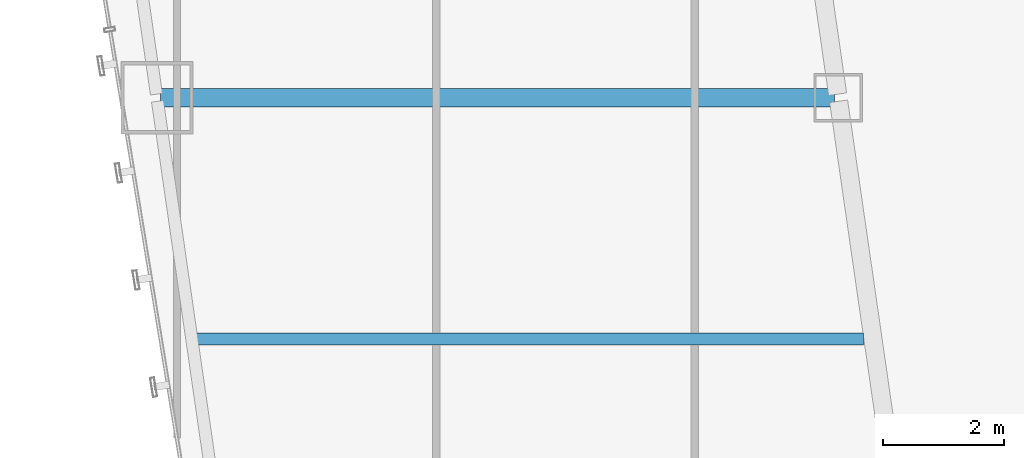
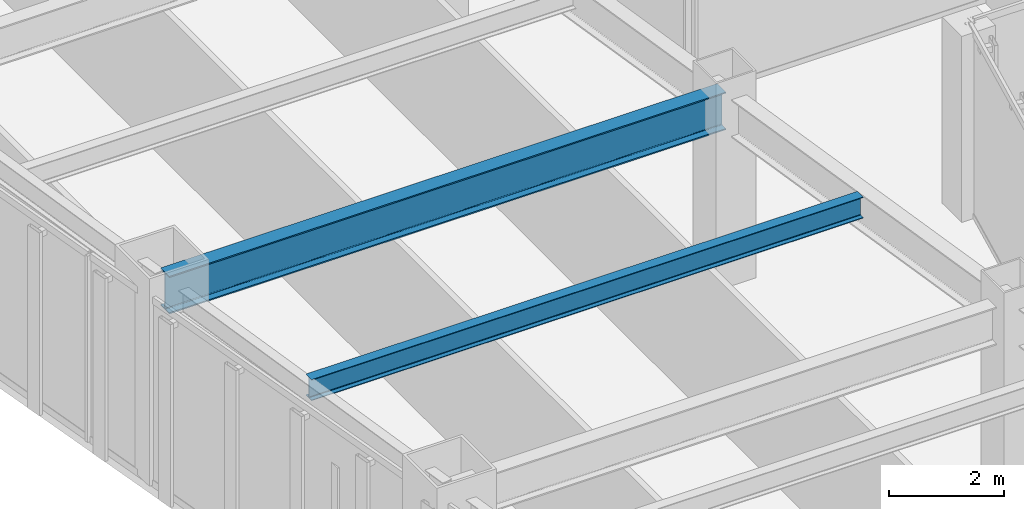
# One storey, part 6 of 47: 2 beams.
"""IFC4 building model written with IfcOpenShell, lengths in metres."""

from ifc_helpers import new_model, si_unit, direction, frame, origin, origin_2d, place, context, subcontext, project, spatial, i_section, extrude, material, material_profile, profile_set, type_object, element, save


model = new_model("IFC4")

# Units and contexts
model_context = context("Model", 3, precision=1e-05, world=origin(), true_north=direction((0.0, 1.0)))
body_context = subcontext(model_context, "Body", "Model", "MODEL_VIEW")
ifc_project = project(units=[si_unit("LENGTHUNIT", "METRE"), si_unit("AREAUNIT", "SQUARE_METRE"), si_unit("VOLUMEUNIT", "CUBIC_METRE"), si_unit("PLANEANGLEUNIT", "RADIAN"), si_unit("MASSUNIT", "GRAM", prefix="KILO")], contexts=[model_context])

# Site, building, storey
site_placement = place(None, origin())
site = spatial("IfcSite", under=ifc_project, at=site_placement, CompositionType="ELEMENT")
building_placement = place(site_placement, origin())
building = spatial("IfcBuilding", under=site, at=building_placement, Name="Saevonmaru Cultural Tower", CompositionType="ELEMENT")
storey_placement = place(building_placement, frame((0.0, 0.0, 82.39990234375)))
storey = spatial("IfcBuildingStorey", under=building, at=storey_placement, Name="L17", CompositionType="ELEMENT", Elevation=82.39990234375)

# Beams
ifc_material_1 = material(Name="Steel SM420", Category="steel")
ifc_material_profile_1 = material_profile(ifc_material_1, i_section(OverallWidth=0.300048828125, OverallDepth=0.800048828125, WebThickness=0.013916015625, FlangeThickness=0.02587890625, FilletRadius=0.028076171875, at=origin_2d()), Name="H-800x300x14x26")
ifc_profile_set_1 = profile_set([ifc_material_profile_1], Name="Steel SM420")
beam_type_1 = type_object("IfcBeamType", Name="BM-G-H800", PredefinedType="BEAM", material=ifc_profile_set_1)
beam_1_placement = place(storey_placement, frame((10.68798828125, 16.0, 3.550048828125), z_axis=(1.0, 0.0, 0.0), x_axis=(0.0, 1.0, 0.0)))
element("IfcBeam", 1, at=beam_1_placement, inside=storey, type_object=beam_type_1, Name="L17 West Wing Transverse Girder 3", PredefinedType="BEAM", context=body_context, shape_type="SweptSolid", body=[
    extrude(i_section(OverallWidth=0.300048828125, OverallDepth=0.800048828125, WebThickness=0.013916015625, FlangeThickness=0.02587890625, FilletRadius=0.028076171875, at=origin_2d()), origin(), (0.0, 0.0, 1.0), 11.179931640625),
])
ifc_material_2 = material(Name="Steel SM355", Category="steel")
ifc_material_profile_2 = material_profile(ifc_material_2, i_section(OverallWidth=0.199951171875, OverallDepth=0.449951171875, WebThickness=0.009033203125, FlangeThickness=0.013916015625, FilletRadius=0.01806640625, at=origin_2d()), Name="H-450x200x9x14")
ifc_profile_set_2 = profile_set([ifc_material_profile_2], Name="Steel SM355")
beam_type_2 = type_object("IfcBeamType", Name="BM-J-H450", PredefinedType="JOIST", material=ifc_profile_set_2)
beam_2_placement = place(storey_placement, frame((11.265380859375, 12.0, 3.72509765625), z_axis=(1.0, 0.0, 0.0), x_axis=(0.0, 1.0, 0.0)))
element("IfcBeam", 2, at=beam_2_placement, inside=storey, type_object=beam_type_2, Name="L17 West Wing Floor Joist 2", PredefinedType="JOIST", context=body_context, shape_type="SweptSolid", body=[
    extrude(i_section(OverallWidth=0.199951171875, OverallDepth=0.449951171875, WebThickness=0.009033203125, FlangeThickness=0.013916015625, FilletRadius=0.01806640625, at=origin_2d()), origin(), (0.0, 0.0, 1.0), 11.08203125),
])

save(model, "model.ifc")
